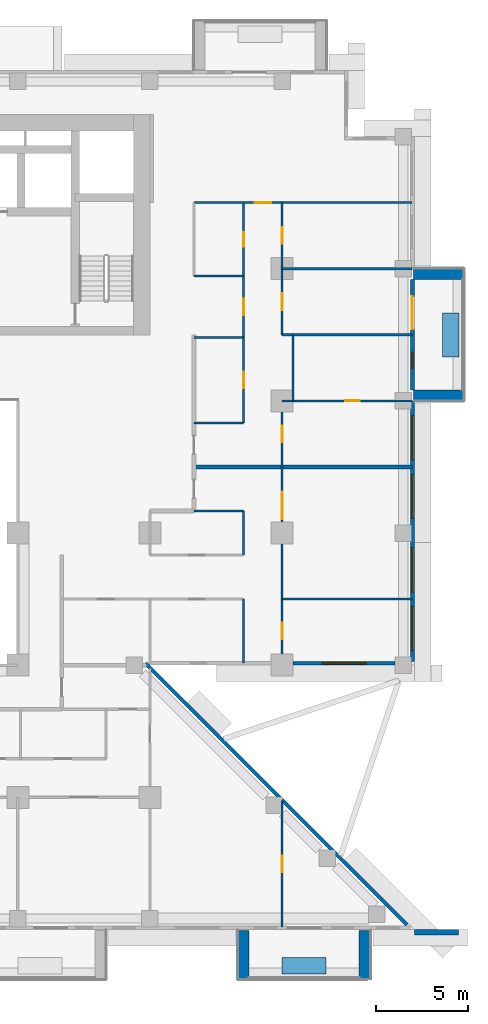
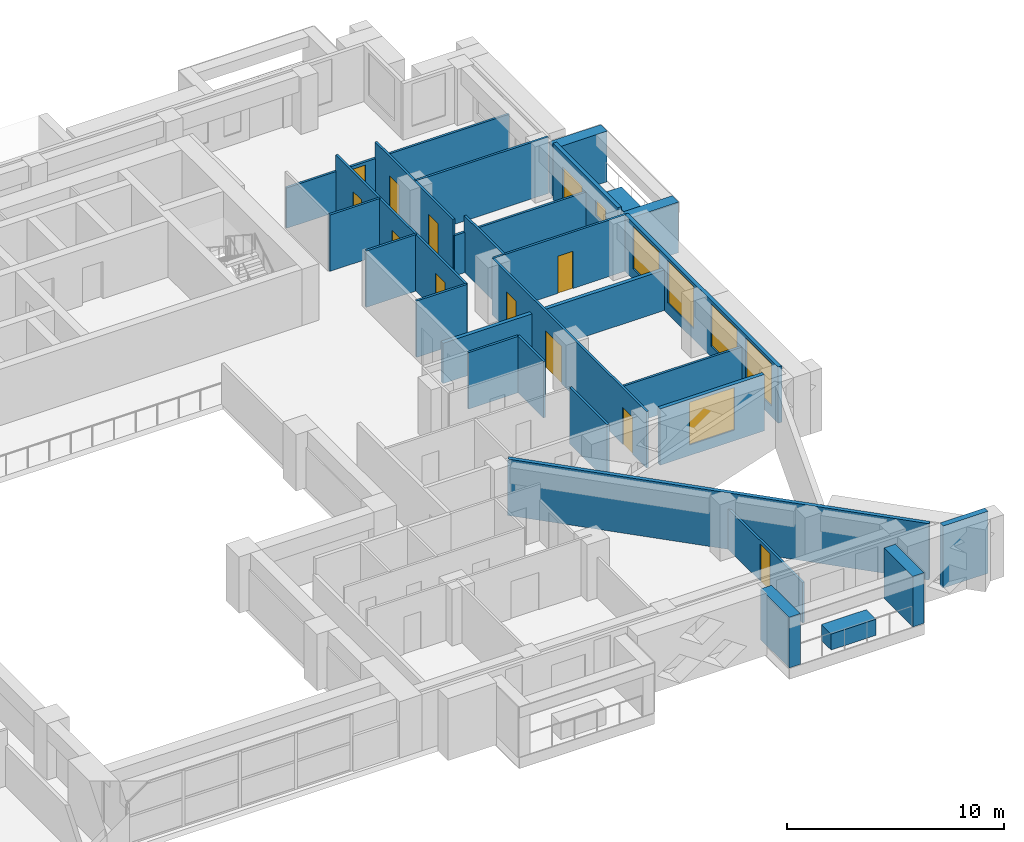
# One storey, part 12 of 17: 28 walls, 12 doors, 6 windows, 18 openings.
"""IFC4 building model written with IfcOpenShell, lengths in metres."""

from ifc_helpers import new_model, si_unit, direction, frame, frame_2d, origin, place, context, subcontext, project, spatial, rectangle, extrude, material, layer, layer_set, type_object, element, fill, save


model = new_model("IFC4")

# Units and contexts
model_context = context("Model", 3, precision=1e-05, world=origin(), true_north=direction((0.0, 1.0)))
body_context = subcontext(model_context, "Body", "Model", "MODEL_VIEW")
ifc_project = project(units=[si_unit("LENGTHUNIT", "METRE"), si_unit("AREAUNIT", "SQUARE_METRE"), si_unit("VOLUMEUNIT", "CUBIC_METRE"), si_unit("PLANEANGLEUNIT", "RADIAN"), si_unit("MASSUNIT", "GRAM", prefix="KILO")], contexts=[model_context])

# Site, building, storey
site_placement = place(None, origin())
site = spatial("IfcSite", under=ifc_project, at=site_placement, CompositionType="ELEMENT")
building_placement = place(site_placement, origin())
building = spatial("IfcBuilding", under=site, at=building_placement, Name="Saffron Iwan Residences", CompositionType="ELEMENT")
storey_placement = place(building_placement, frame((0.0, 0.0, 97.0)))
storey = spatial("IfcBuildingStorey", under=building, at=storey_placement, Name="L25", CompositionType="ELEMENT", Elevation=97.0)

# Walls
ifc_material_1 = material(Name="Concrete C50/60 white painted", Category="concrete")
ifc_layer_1 = layer(ifc_material_1, 0.60009765625)
ifc_layer_set_1 = layer_set([ifc_layer_1], Name="Concrete C50/60 white painted")
wall_type_1 = type_object("IfcWallType", Name="BALCONY FIN 600", PredefinedType="SOLIDWALL", material=ifc_layer_set_1)
for number, where, z_axis, x_axis, name in (
    (1, (86.35009765625, 62.699951171875, 0.0), (0.0, 0.0, 1.0), (1.0, 0.0, 0.0), "Balcony fin L25 F2-0a"),
    (2, (86.35009765625, 69.300048828125, 0.0), (0.0, 0.0, 1.0), (1.0, 0.0, 0.0), "Balcony fin L25 F2-0b"),
):
    element("IfcWall", number, at=place(storey_placement, frame(where, z_axis=z_axis, x_axis=x_axis)), inside=storey, type_object=wall_type_1, Name=name, PredefinedType="SOLIDWALL", context=body_context, shape_type="SweptSolid", body=[
        extrude(rectangle(XDim=2.75, YDim=0.60009765625, at=frame_2d((1.375, 0.0))), origin(), (0.0, 0.0, 1.0), 2.85009765625),
    ])
for number, where, z_axis, x_axis, name in (
    (3, (77.10009765625, 33.550048828125, 0.0), (0.0, 0.0, 1.0), (0.0, -1.0, 0.0), "Balcony fin L25 11-3a"),
    (4, (83.699951171875, 33.550048828125, 0.0), (0.0, 0.0, 1.0), (0.0, -1.0, 0.0), "Balcony fin L25 11-3b"),
):
    element("IfcWall", number, at=place(storey_placement, frame(where, z_axis=z_axis, x_axis=x_axis)), inside=storey, type_object=wall_type_1, Name=name, PredefinedType="SOLIDWALL", context=body_context, shape_type="SweptSolid", body=[
        extrude(rectangle(XDim=2.650146484375, YDim=0.60009765625, at=frame_2d((1.3251953125, 0.0))), origin(), (0.0, 0.0, 1.0), 2.85009765625),
    ])
ifc_material_2 = material(Name="Concrete C35/45 white painted", Category="concrete")
ifc_layer_2 = layer(ifc_material_2, 0.14990234375)
ifc_layer_set_2 = layer_set([ifc_layer_2], Name="Concrete C35/45 white painted")
wall_type_2 = type_object("IfcWallType", Name="BALCONY PLANTER", PredefinedType="SOLIDWALL", material=ifc_layer_set_2)
wall_1_placement = place(storey_placement, frame((88.375, 64.800048828125, 0.0), z_axis=(0.0, 0.0, 1.0), x_axis=(0.0, 1.0, 0.0)))
element("IfcWall", 5, at=wall_1_placement, inside=storey, type_object=wall_type_2, Name="PLANTER L25 F2-0", PredefinedType="SOLIDWALL", context=body_context, shape_type="SweptSolid", body=[
    extrude(rectangle(XDim=2.39990234375, YDim=0.89990234375, at=frame_2d((1.199951171875, 0.0))), origin(), (0.0, 0.0, 1.0), 0.89990234375),
])
wall_2_placement = place(storey_placement, frame((79.199951171875, 31.625, 0.0), z_axis=(0.0, 0.0, 1.0), x_axis=(1.0, 0.0, 0.0)))
element("IfcWall", 6, at=wall_2_placement, inside=storey, type_object=wall_type_2, Name="PLANTER L25 11-3", PredefinedType="SOLIDWALL", context=body_context, shape_type="SweptSolid", body=[
    extrude(rectangle(XDim=2.400146484375, YDim=0.89990234375, at=frame_2d((1.2001953125, 0.0))), origin(), (0.0, 0.0, 1.0), 0.89990234375),
])
ifc_material_3 = material(Name="Concrete C40/50", Category="concrete")
ifc_layer_3 = layer(ifc_material_3, 0.199951171875)
ifc_layer_set_3 = layer_set([ifc_layer_3], Name="Concrete C40/50")
wall_type_3 = type_object("IfcWallType", Name="EXTERNAL WALL 200", PredefinedType="SOLIDWALL", material=ifc_layer_set_3)
wall_3_placement = place(storey_placement, frame((85.995849609375, 33.862548828125, 0.0), z_axis=(0.0, 0.0, 1.0), x_axis=(-0.707100718496, 0.707112843825, 0.0)))
element("IfcWall", 7, at=wall_3_placement, inside=storey, type_object=wall_type_3, Name="External wall L25 F0.0", PredefinedType="SOLIDWALL", context=body_context, shape_type="SweptSolid", body=[
    extrude(rectangle(XDim=20.134765625, YDim=0.199951171875, at=frame_2d((10.0673828125, 0.0))), origin(), (0.0, 0.0, 1.0), 3.179931640625),
])

# Wall, opening, window
wall_4_placement = place(storey_placement, frame((79.800048828125, 48.10009765625, 0.0), z_axis=(0.0, 0.0, 1.0), x_axis=(1.0, 0.0, 0.0)))
wall_4 = element("IfcWall", 8, at=wall_4_placement, inside=storey, type_object=wall_type_3, Name="External wall L25 F1.1", PredefinedType="SOLIDWALL", context=body_context, shape_type="SweptSolid", body=[
    extrude(rectangle(XDim=5.550048828125, YDim=0.199951171875, at=frame_2d((2.77490234375, 0.0))), origin(), (0.0, 0.0, 1.0), 3.179931640625),
])
opening_1_placement = place(wall_4_placement, frame((1.574951171875, 0.0, 0.60009765625)))
opening_1 = element("IfcOpeningElement", 9, at=opening_1_placement, cuts=wall_4, Name="Opening W1", PredefinedType="OPENING", context=body_context, shape_type="SweptSolid", body=[
    extrude(rectangle(XDim=2.39990234375, YDim=2.39990234375, at=frame_2d((1.199951171875, 1.199951171875))), frame((0.0, 0.10986328125, 0.0), z_axis=(0.0, -1.0, 0.0), x_axis=(1.0, 0.0, 0.0)), (0.0, 0.0, 1.0), 0.219970703125),
])
ifc_material_4 = material(Name="Clear glass, laminated double glazed", Category="glass")
window_type_1 = type_object("IfcWindowType", Name="WINDOW 2400 x 2400", PartitioningType="DOUBLE_PANEL_VERTICAL", PredefinedType="WINDOW", material=ifc_material_4)
window_1_placement = place(opening_1_placement, origin())
window_1 = element("IfcWindow", 10, at=window_1_placement, inside=storey, type_object=window_type_1, Name="Window L25 F1.0", OverallHeight=2.39990234375, OverallWidth=2.39990234375, PartitioningType="DOUBLE_PANEL_VERTICAL", PredefinedType="WINDOW", context=body_context, shape_type="SweptSolid", body=[
    extrude(rectangle(XDim=2.39990234375, YDim=2.39990234375, at=frame_2d((1.199951171875, 1.199951171875))), frame((0.0, 0.030029296875, 0.0), z_axis=(0.0, -1.0, 0.0), x_axis=(1.0, 0.0, 0.0)), (0.0, 0.0, 1.0), 0.06005859375),
])
fill(opening_1, window_1)

# Wall, openings, windows
wall_5_placement = place(storey_placement, frame((86.300048828125, 48.199951171875, 0.0), z_axis=(0.0, 0.0, 1.0), x_axis=(0.0, 1.0, 0.0)))
wall_5 = element("IfcWall", 11, at=wall_5_placement, inside=storey, type_object=wall_type_3, Name="External wall L25 F2.0", PredefinedType="SOLIDWALL", context=body_context, shape_type="SweptSolid", body=[
    extrude(rectangle(XDim=14.199951171875, YDim=0.199951171875, at=frame_2d((7.10009765625, 0.0))), origin(), (0.0, 0.0, 1.0), 3.179931640625),
])
opening_2_placement = place(wall_5_placement, frame((0.60009765625, 0.0, 0.60009765625)))
opening_2 = element("IfcOpeningElement", 12, at=opening_2_placement, cuts=wall_5, Name="Opening W1", PredefinedType="OPENING", context=body_context, shape_type="SweptSolid", body=[
    extrude(rectangle(XDim=2.39990234375, YDim=2.39990234375, at=frame_2d((1.199951171875, 1.199951171875))), frame((0.0, 0.10986328125, 0.0), z_axis=(0.0, -1.0, 0.0), x_axis=(1.0, 0.0, 0.0)), (0.0, 0.0, 1.0), 0.219970703125),
])
opening_3_placement = place(wall_5_placement, frame((3.800048828125, 0.0, 0.60009765625)))
opening_3 = element("IfcOpeningElement", 13, at=opening_3_placement, cuts=wall_5, Name="Opening W1", PredefinedType="OPENING", context=body_context, shape_type="SweptSolid", body=[
    extrude(rectangle(XDim=2.39990234375, YDim=2.39990234375, at=frame_2d((1.199951171875, 1.199951171875))), frame((0.0, 0.10986328125, 0.0), z_axis=(0.0, -1.0, 0.0), x_axis=(1.0, 0.0, 0.0)), (0.0, 0.0, 1.0), 0.219970703125),
])
opening_4_placement = place(wall_5_placement, frame((7.800048828125, 0.0, 0.60009765625)))
opening_4 = element("IfcOpeningElement", 14, at=opening_4_placement, cuts=wall_5, Name="Opening W1", PredefinedType="OPENING", context=body_context, shape_type="SweptSolid", body=[
    extrude(rectangle(XDim=2.39990234375, YDim=2.39990234375, at=frame_2d((1.199951171875, 1.199951171875))), frame((0.0, 0.10986328125, 0.0), z_axis=(0.0, -1.0, 0.0), x_axis=(1.0, 0.0, 0.0)), (0.0, 0.0, 1.0), 0.219970703125),
])
opening_5_placement = place(wall_5_placement, frame((11.0, 0.0, 0.60009765625)))
opening_5 = element("IfcOpeningElement", 15, at=opening_5_placement, cuts=wall_5, Name="Opening W1", PredefinedType="OPENING", context=body_context, shape_type="SweptSolid", body=[
    extrude(rectangle(XDim=2.39990234375, YDim=2.39990234375, at=frame_2d((1.199951171875, 1.199951171875))), frame((0.0, 0.10986328125, 0.0), z_axis=(0.0, -1.0, 0.0), x_axis=(1.0, 0.0, 0.0)), (0.0, 0.0, 1.0), 0.219970703125),
])
window_2_placement = place(opening_2_placement, origin())
window_2 = element("IfcWindow", 16, at=window_2_placement, inside=storey, type_object=window_type_1, Name="Window L25 F2.0", OverallHeight=2.39990234375, OverallWidth=2.39990234375, PartitioningType="DOUBLE_PANEL_VERTICAL", PredefinedType="WINDOW", context=body_context, shape_type="SweptSolid", body=[
    extrude(rectangle(XDim=2.39990234375, YDim=2.39990234375, at=frame_2d((1.199951171875, 1.199951171875))), frame((0.0, 0.030029296875, 0.0), z_axis=(0.0, -1.0, 0.0), x_axis=(1.0, 0.0, 0.0)), (0.0, 0.0, 1.0), 0.06005859375),
])
fill(opening_2, window_2)
window_3_placement = place(opening_3_placement, origin())
window_3 = element("IfcWindow", 17, at=window_3_placement, inside=storey, type_object=window_type_1, Name="Window L25 F2.1", OverallHeight=2.39990234375, OverallWidth=2.39990234375, PartitioningType="DOUBLE_PANEL_VERTICAL", PredefinedType="WINDOW", context=body_context, shape_type="SweptSolid", body=[
    extrude(rectangle(XDim=2.39990234375, YDim=2.39990234375, at=frame_2d((1.199951171875, 1.199951171875))), frame((0.0, 0.030029296875, 0.0), z_axis=(0.0, -1.0, 0.0), x_axis=(1.0, 0.0, 0.0)), (0.0, 0.0, 1.0), 0.06005859375),
])
fill(opening_3, window_3)
window_4_placement = place(opening_4_placement, origin())
window_4 = element("IfcWindow", 18, at=window_4_placement, inside=storey, type_object=window_type_1, Name="Window L25 F2.2", OverallHeight=2.39990234375, OverallWidth=2.39990234375, PartitioningType="DOUBLE_PANEL_VERTICAL", PredefinedType="WINDOW", context=body_context, shape_type="SweptSolid", body=[
    extrude(rectangle(XDim=2.39990234375, YDim=2.39990234375, at=frame_2d((1.199951171875, 1.199951171875))), frame((0.0, 0.030029296875, 0.0), z_axis=(0.0, -1.0, 0.0), x_axis=(1.0, 0.0, 0.0)), (0.0, 0.0, 1.0), 0.06005859375),
])
fill(opening_4, window_4)
window_5_placement = place(opening_5_placement, origin())
window_5 = element("IfcWindow", 19, at=window_5_placement, inside=storey, type_object=window_type_1, Name="Window L25 F2.3", OverallHeight=2.39990234375, OverallWidth=2.39990234375, PartitioningType="DOUBLE_PANEL_VERTICAL", PredefinedType="WINDOW", context=body_context, shape_type="SweptSolid", body=[
    extrude(rectangle(XDim=2.39990234375, YDim=2.39990234375, at=frame_2d((1.199951171875, 1.199951171875))), frame((0.0, 0.030029296875, 0.0), z_axis=(0.0, -1.0, 0.0), x_axis=(1.0, 0.0, 0.0)), (0.0, 0.0, 1.0), 0.06005859375),
])
fill(opening_5, window_5)

# Wall, openings, door, window
wall_6_placement = place(storey_placement, frame((86.300048828125, 63.0, 0.0), z_axis=(0.0, 0.0, 1.0), x_axis=(0.0, 1.0, 0.0)))
wall_6 = element("IfcWall", 20, at=wall_6_placement, inside=storey, type_object=wall_type_3, Name="External wall L25 F2.1", PredefinedType="SOLIDWALL", context=body_context, shape_type="SweptSolid", body=[
    extrude(rectangle(XDim=6.0, YDim=0.199951171875, at=frame_2d((3.0, 0.0))), origin(), (0.0, 0.0, 1.0), 3.179931640625),
])
opening_6_placement = place(wall_6_placement, frame((3.300048828125, 0.0, 0.0)))
opening_6 = element("IfcOpeningElement", 21, at=opening_6_placement, cuts=wall_6, Name="Opening BD1", PredefinedType="OPENING", context=body_context, shape_type="SweptSolid", body=[
    extrude(rectangle(XDim=1.800048828125, YDim=2.39990234375, at=frame_2d((0.89990234375, 1.199951171875))), frame((0.0, 0.10986328125, 0.0), z_axis=(0.0, -1.0, 0.0), x_axis=(1.0, 0.0, 0.0)), (0.0, 0.0, 1.0), 0.219970703125),
])
opening_7_placement = place(wall_6_placement, frame((1.14990234375, 0.0, 1.5)))
opening_7 = element("IfcOpeningElement", 22, at=opening_7_placement, cuts=wall_6, Name="Opening W6", PredefinedType="OPENING", context=body_context, shape_type="SweptSolid", body=[
    extrude(rectangle(XDim=0.89990234375, YDim=0.89990234375, at=frame_2d((0.449951171875, 0.449951171875))), frame((0.0, 0.10986328125, 0.0), z_axis=(0.0, -1.0, 0.0), x_axis=(1.0, 0.0, 0.0)), (0.0, 0.0, 1.0), 0.219970703125),
])
door_type_1 = type_object("IfcDoorType", Name="BALCONY DOOR 1800 x 2400", OperationType="DOUBLE_DOOR_SLIDING", PredefinedType="DOOR", material=ifc_material_4)
door_1_placement = place(opening_6_placement, origin())
door_1 = element("IfcDoor", 23, at=door_1_placement, inside=storey, type_object=door_type_1, Name="Balcony door L25 F2.0", OperationType="DOUBLE_DOOR_SLIDING", OverallHeight=2.39990234375, OverallWidth=1.800048828125, PredefinedType="DOOR", context=body_context, shape_type="SweptSolid", body=[
    extrude(rectangle(XDim=1.800048828125, YDim=2.39990234375, at=frame_2d((0.89990234375, 1.199951171875))), frame((0.0, 0.02490234375, 0.0), z_axis=(0.0, -1.0, 0.0), x_axis=(1.0, 0.0, 0.0)), (0.0, 0.0, 1.0), 0.050048828125),
])
fill(opening_6, door_1)
window_type_2 = type_object("IfcWindowType", Name="WINDOW 900 x 900 BATH", PartitioningType="SINGLE_PANEL", PredefinedType="WINDOW", material=ifc_material_4)
window_6_placement = place(opening_7_placement, origin())
window_6 = element("IfcWindow", 24, at=window_6_placement, inside=storey, type_object=window_type_2, Name="Window L25 F2.1", OverallHeight=0.89990234375, OverallWidth=0.89990234375, PartitioningType="SINGLE_PANEL", PredefinedType="WINDOW", context=body_context, shape_type="SweptSolid", body=[
    extrude(rectangle(XDim=0.89990234375, YDim=0.89990234375, at=frame_2d((0.449951171875, 0.449951171875))), frame((0.0, 0.030029296875, 0.0), z_axis=(0.0, -1.0, 0.0), x_axis=(1.0, 0.0, 0.0)), (0.0, 0.0, 1.0), 0.06005859375),
])
fill(opening_7, window_6)

# Walls
ifc_material_5 = material(Name="Fire-rated gypsum board wall")
ifc_layer_4 = layer(ifc_material_5, 0.199951171875)
ifc_layer_set_4 = layer_set([ifc_layer_4], Name="Fire-rated gypsum board wall")
wall_type_4 = type_object("IfcWallType", Name="Flat demising wall 200", PredefinedType="SOLIDWALL", material=ifc_layer_set_4)
wall_7_placement = place(storey_placement, frame((74.39990234375, 58.800048828125, 0.0), z_axis=(0.0, 0.0, 1.0), x_axis=(1.0, 0.0, 0.0)))
element("IfcWall", 25, at=wall_7_placement, inside=storey, type_object=wall_type_4, Name="W-L25-DEMISE-h58.8-74.4", PredefinedType="SOLIDWALL", context=body_context, shape_type="SweptSolid", body=[
    extrude(rectangle(XDim=11.875, YDim=0.199951171875, at=frame_2d((5.9375, 0.0))), origin(), (0.0, 0.0, 1.0), 2.280029296875),
])
ifc_material_6 = material(Name="Gypsum board partition")
ifc_layer_5 = layer(ifc_material_6, 0.1201171875)
ifc_layer_set_5 = layer_set([ifc_layer_5], Name="Gypsum board partition")
wall_type_5 = type_object("IfcWallType", Name="Flat partition 120", PredefinedType="PARTITIONING", material=ifc_layer_set_5)
wall_8_placement = place(storey_placement, frame((79.199951171875, 51.60009765625, 0.0), z_axis=(0.0, 0.0, 1.0), x_axis=(1.0, 0.0, 0.0)))
element("IfcWall", 26, at=wall_8_placement, inside=storey, type_object=wall_type_5, Name="W-L25-PART-h51.6-79.2", PredefinedType="PARTITIONING", context=body_context, shape_type="SweptSolid", body=[
    extrude(rectangle(XDim=7.074951171875, YDim=0.1201171875, at=frame_2d((3.53759765625, 0.0))), origin(), (0.0, 0.0, 1.0), 2.280029296875),
])
for number, where, z_axis, x_axis, name in (
    (27, (74.39990234375, 56.39990234375, 0.0), (0.0, 0.0, 1.0), (1.0, 0.0, 0.0), "W-L25-PART-h56.4-74.4"),
    (28, (74.39990234375, 61.199951171875, 0.0), (0.0, 0.0, 1.0), (1.0, 0.0, 0.0), "W-L25-PART-h61.2-74.4"),
):
    element("IfcWall", number, at=place(storey_placement, frame(where, z_axis=z_axis, x_axis=x_axis)), inside=storey, type_object=wall_type_5, Name=name, PredefinedType="PARTITIONING", context=body_context, shape_type="SweptSolid", body=[
        extrude(rectangle(XDim=2.7001953125, YDim=0.1201171875, at=frame_2d((1.35009765625, 0.0))), origin(), (0.0, 0.0, 1.0), 3.179931640625),
    ])

# Wall, opening, door
wall_9_placement = place(storey_placement, frame((79.199951171875, 62.39990234375, 0.0), z_axis=(0.0, 0.0, 1.0), x_axis=(1.0, 0.0, 0.0)))
wall_9 = element("IfcWall", 29, at=wall_9_placement, inside=storey, type_object=wall_type_5, Name="W-L25-PART-h62.4-79.2", PredefinedType="PARTITIONING", context=body_context, shape_type="SweptSolid", body=[
    extrude(rectangle(XDim=7.074951171875, YDim=0.1201171875, at=frame_2d((3.53759765625, 0.0))), origin(), (0.0, 0.0, 1.0), 3.179931640625),
])
opening_8_placement = place(wall_9_placement, frame((3.4375, 0.0, 0.0)))
opening_8 = element("IfcOpeningElement", 30, at=opening_8_placement, cuts=wall_9, Name="Opening FD3", PredefinedType="OPENING", context=body_context, shape_type="SweptSolid", body=[
    extrude(rectangle(XDim=0.800048828125, YDim=2.10009765625, at=frame_2d((0.39990234375, 1.050048828125))), frame((0.0, 0.070068359375, 0.0), z_axis=(0.0, -1.0, 0.0), x_axis=(1.0, 0.0, 0.0)), (0.0, 0.0, 1.0), 0.14013671875),
])
ifc_material_7 = material(Name="Timber door", Category="wood")
door_type_2 = type_object("IfcDoorType", Name="Bathroom door 800", OperationType="NOTDEFINED", PredefinedType="DOOR", material=ifc_material_7)
door_2_placement = place(opening_8_placement, origin())
door_2 = element("IfcDoor", 31, at=door_2_placement, inside=storey, type_object=door_type_2, Name="Door L25-037", OperationType="SINGLE_SWING_LEFT", OverallHeight=2.10009765625, OverallWidth=0.800048828125, PredefinedType="DOOR", context=body_context, shape_type="SweptSolid", body=[
    extrude(rectangle(XDim=0.800048828125, YDim=2.10009765625, at=frame_2d((0.39990234375, 1.050048828125))), frame((0.0, 0.02490234375, 0.0), z_axis=(0.0, -1.0, 0.0), x_axis=(1.0, 0.0, 0.0)), (0.0, 0.0, 1.0), 0.050048828125),
])
fill(opening_8, door_2)

# Walls
wall_10_placement = place(storey_placement, frame((74.39990234375, 65.85009765625, 0.0), z_axis=(0.0, 0.0, 1.0), x_axis=(1.0, 0.0, 0.0)))
element("IfcWall", 32, at=wall_10_placement, inside=storey, type_object=wall_type_5, Name="W-L25-PART-h65.85-74.4", PredefinedType="PARTITIONING", context=body_context, shape_type="SweptSolid", body=[
    extrude(rectangle(XDim=2.7001953125, YDim=0.1201171875, at=frame_2d((1.35009765625, 0.0))), origin(), (0.0, 0.0, 1.0), 3.179931640625),
])
wall_11_placement = place(storey_placement, frame((79.199951171875, 66.0, 0.0), z_axis=(0.0, 0.0, 1.0), x_axis=(1.0, 0.0, 0.0)))
element("IfcWall", 33, at=wall_11_placement, inside=storey, type_object=wall_type_5, Name="W-L25-PART-h66-79.2", PredefinedType="PARTITIONING", context=body_context, shape_type="SweptSolid", body=[
    extrude(rectangle(XDim=7.074951171875, YDim=0.1201171875, at=frame_2d((3.53759765625, 0.0))), origin(), (0.0, 0.0, 1.0), 2.280029296875),
])
wall_12_placement = place(storey_placement, frame((74.39990234375, 69.199951171875, 0.0), z_axis=(0.0, 0.0, 1.0), x_axis=(1.0, 0.0, 0.0)))
element("IfcWall", 34, at=wall_12_placement, inside=storey, type_object=wall_type_5, Name="W-L25-PART-h69.2-74.4", PredefinedType="PARTITIONING", context=body_context, shape_type="SweptSolid", body=[
    extrude(rectangle(XDim=2.7001953125, YDim=0.1201171875, at=frame_2d((1.35009765625, 0.0))), origin(), (0.0, 0.0, 1.0), 3.179931640625),
])
wall_13_placement = place(storey_placement, frame((79.199951171875, 69.60009765625, 0.0), z_axis=(0.0, 0.0, 1.0), x_axis=(1.0, 0.0, 0.0)))
element("IfcWall", 35, at=wall_13_placement, inside=storey, type_object=wall_type_5, Name="W-L25-PART-h69.6-79.2", PredefinedType="PARTITIONING", context=body_context, shape_type="SweptSolid", body=[
    extrude(rectangle(XDim=7.074951171875, YDim=0.1201171875, at=frame_2d((3.53759765625, 0.0))), origin(), (0.0, 0.0, 1.0), 3.179931640625),
])

# Wall, opening, door
wall_14_placement = place(storey_placement, frame((74.39990234375, 73.199951171875, 0.0), z_axis=(0.0, 0.0, 1.0), x_axis=(1.0, 0.0, 0.0)))
wall_14 = element("IfcWall", 36, at=wall_14_placement, inside=storey, type_object=wall_type_5, Name="W-L25-PART-h73.2-74.4", PredefinedType="PARTITIONING", context=body_context, shape_type="SweptSolid", body=[
    extrude(rectangle(XDim=11.875, YDim=0.1201171875, at=frame_2d((5.9375, 0.0))), origin(), (0.0, 0.0, 1.0), 2.280029296875),
])
opening_9_placement = place(wall_14_placement, frame((3.300048828125, 0.0, 0.0)))
opening_9 = element("IfcOpeningElement", 37, at=opening_9_placement, cuts=wall_14, Name="Opening FD2", PredefinedType="OPENING", context=body_context, shape_type="SweptSolid", body=[
    extrude(rectangle(XDim=0.89990234375, YDim=2.10009765625, at=frame_2d((0.449951171875, 1.050048828125))), frame((0.0, 0.070068359375, 0.0), z_axis=(0.0, -1.0, 0.0), x_axis=(1.0, 0.0, 0.0)), (0.0, 0.0, 1.0), 0.14013671875),
])
door_type_3 = type_object("IfcDoorType", Name="Flat door 900", OperationType="NOTDEFINED", PredefinedType="DOOR", material=ifc_material_7)
door_3_placement = place(opening_9_placement, origin())
door_3 = element("IfcDoor", 38, at=door_3_placement, inside=storey, type_object=door_type_3, Name="Door L25-040", OperationType="SINGLE_SWING_LEFT", OverallHeight=2.10009765625, OverallWidth=0.89990234375, PredefinedType="DOOR", context=body_context, shape_type="SweptSolid", body=[
    extrude(rectangle(XDim=0.89990234375, YDim=2.10009765625, at=frame_2d((0.449951171875, 1.050048828125))), frame((0.0, 0.02490234375, 0.0), z_axis=(0.0, -1.0, 0.0), x_axis=(1.0, 0.0, 0.0)), (0.0, 0.0, 1.0), 0.050048828125),
])
fill(opening_9, door_3)

# Walls
wall_15_placement = place(storey_placement, frame((77.10009765625, 48.125, 0.0), z_axis=(0.0, 0.0, 1.0), x_axis=(0.0, 1.0, 0.0)))
element("IfcWall", 39, at=wall_15_placement, inside=storey, type_object=wall_type_5, Name="W-L25-PART-v77.1-48.125", PredefinedType="PARTITIONING", context=body_context, shape_type="SweptSolid", body=[
    extrude(rectangle(XDim=3.47509765625, YDim=0.1201171875, at=frame_2d((1.737548828125, 0.0))), origin(), (0.0, 0.0, 1.0), 3.179931640625),
])
wall_16_placement = place(storey_placement, frame((77.10009765625, 54.0, 0.0), z_axis=(0.0, 0.0, 1.0), x_axis=(0.0, 1.0, 0.0)))
element("IfcWall", 40, at=wall_16_placement, inside=storey, type_object=wall_type_5, Name="W-L25-PART-v77.1-54", PredefinedType="PARTITIONING", context=body_context, shape_type="SweptSolid", body=[
    extrude(rectangle(XDim=2.39990234375, YDim=0.1201171875, at=frame_2d((1.199951171875, 0.0))), origin(), (0.0, 0.0, 1.0), 3.179931640625),
])

# Wall, openings, doors
wall_17_placement = place(storey_placement, frame((77.10009765625, 61.199951171875, 0.0), z_axis=(0.0, 0.0, 1.0), x_axis=(0.0, 1.0, 0.0)))
wall_17 = element("IfcWall", 41, at=wall_17_placement, inside=storey, type_object=wall_type_5, Name="W-L25-PART-v77.1-61.2", PredefinedType="PARTITIONING", context=body_context, shape_type="SweptSolid", body=[
    extrude(rectangle(XDim=12.0, YDim=0.1201171875, at=frame_2d((6.0, 0.0))), origin(), (0.0, 0.0, 1.0), 3.179931640625),
])
opening_10_placement = place(wall_17_placement, frame((1.875, 0.0, 0.0)))
opening_10 = element("IfcOpeningElement", 42, at=opening_10_placement, cuts=wall_17, Name="Opening FD2", PredefinedType="OPENING", context=body_context, shape_type="SweptSolid", body=[
    extrude(rectangle(XDim=0.89990234375, YDim=2.10009765625, at=frame_2d((0.449951171875, 1.050048828125))), frame((0.0, 0.070068359375, 0.0), z_axis=(0.0, -1.0, 0.0), x_axis=(1.0, 0.0, 0.0)), (0.0, 0.0, 1.0), 0.14013671875),
])
opening_11_placement = place(wall_17_placement, frame((5.875, 0.0, 0.0)))
opening_11 = element("IfcOpeningElement", 43, at=opening_11_placement, cuts=wall_17, Name="Opening FD2", PredefinedType="OPENING", context=body_context, shape_type="SweptSolid", body=[
    extrude(rectangle(XDim=0.89990234375, YDim=2.10009765625, at=frame_2d((0.449951171875, 1.050048828125))), frame((0.0, 0.070068359375, 0.0), z_axis=(0.0, -1.0, 0.0), x_axis=(1.0, 0.0, 0.0)), (0.0, 0.0, 1.0), 0.14013671875),
])
opening_12_placement = place(wall_17_placement, frame((9.60009765625, 0.0, 0.0)))
opening_12 = element("IfcOpeningElement", 44, at=opening_12_placement, cuts=wall_17, Name="Opening FD3", PredefinedType="OPENING", context=body_context, shape_type="SweptSolid", body=[
    extrude(rectangle(XDim=0.800048828125, YDim=2.10009765625, at=frame_2d((0.39990234375, 1.050048828125))), frame((0.0, 0.070068359375, 0.0), z_axis=(0.0, -1.0, 0.0), x_axis=(1.0, 0.0, 0.0)), (0.0, 0.0, 1.0), 0.14013671875),
])
door_4_placement = place(opening_12_placement, origin())
door_4 = element("IfcDoor", 45, at=door_4_placement, inside=storey, type_object=door_type_2, Name="Door L25-043", OperationType="SINGLE_SWING_LEFT", OverallHeight=2.10009765625, OverallWidth=0.800048828125, PredefinedType="DOOR", context=body_context, shape_type="SweptSolid", body=[
    extrude(rectangle(XDim=0.800048828125, YDim=2.10009765625, at=frame_2d((0.39990234375, 1.050048828125))), frame((0.0, 0.02490234375, 0.0), z_axis=(0.0, -1.0, 0.0), x_axis=(1.0, 0.0, 0.0)), (0.0, 0.0, 1.0), 0.050048828125),
])
fill(opening_12, door_4)
door_5_placement = place(opening_10_placement, origin())
door_5 = element("IfcDoor", 46, at=door_5_placement, inside=storey, type_object=door_type_3, Name="Door L25-041", OperationType="SINGLE_SWING_LEFT", OverallHeight=2.10009765625, OverallWidth=0.89990234375, PredefinedType="DOOR", context=body_context, shape_type="SweptSolid", body=[
    extrude(rectangle(XDim=0.89990234375, YDim=2.10009765625, at=frame_2d((0.449951171875, 1.050048828125))), frame((0.0, 0.02490234375, 0.0), z_axis=(0.0, -1.0, 0.0), x_axis=(1.0, 0.0, 0.0)), (0.0, 0.0, 1.0), 0.050048828125),
])
fill(opening_10, door_5)
door_6_placement = place(opening_11_placement, origin())
door_6 = element("IfcDoor", 47, at=door_6_placement, inside=storey, type_object=door_type_3, Name="Door L25-042", OperationType="SINGLE_SWING_RIGHT", OverallHeight=2.10009765625, OverallWidth=0.89990234375, PredefinedType="DOOR", context=body_context, shape_type="SweptSolid", body=[
    extrude(rectangle(XDim=0.89990234375, YDim=2.10009765625, at=frame_2d((0.449951171875, 1.050048828125))), frame((0.0, 0.02490234375, 0.0), z_axis=(0.0, -1.0, 0.0), x_axis=(1.0, 0.0, 0.0)), (0.0, 0.0, 1.0), 0.050048828125),
])
fill(opening_11, door_6)

# Wall, opening, door
wall_18_placement = place(storey_placement, frame((79.199951171875, 33.72509765625, 0.0), z_axis=(0.0, 0.0, 1.0), x_axis=(0.0, 1.0, 0.0)))
wall_18 = element("IfcWall", 48, at=wall_18_placement, inside=storey, type_object=wall_type_5, Name="W-L25-PART-v79.2-33.725", PredefinedType="PARTITIONING", context=body_context, shape_type="SweptSolid", body=[
    extrude(rectangle(XDim=6.89794921875, YDim=0.1201171875, at=frame_2d((3.448974609375, 0.0))), origin(), (0.0, 0.0, 1.0), 2.280029296875),
])
opening_13_placement = place(wall_18_placement, frame((2.9990234375, 0.0, 0.0)))
opening_13 = element("IfcOpeningElement", 49, at=opening_13_placement, cuts=wall_18, Name="Opening FD2", PredefinedType="OPENING", context=body_context, shape_type="SweptSolid", body=[
    extrude(rectangle(XDim=0.89990234375, YDim=2.10009765625, at=frame_2d((0.449951171875, 1.050048828125))), frame((0.0, 0.070068359375, 0.0), z_axis=(0.0, -1.0, 0.0), x_axis=(1.0, 0.0, 0.0)), (0.0, 0.0, 1.0), 0.14013671875),
])
door_7_placement = place(opening_13_placement, origin())
door_7 = element("IfcDoor", 50, at=door_7_placement, inside=storey, type_object=door_type_3, Name="Door L25-052", OperationType="SINGLE_SWING_LEFT", OverallHeight=2.10009765625, OverallWidth=0.89990234375, PredefinedType="DOOR", context=body_context, shape_type="SweptSolid", body=[
    extrude(rectangle(XDim=0.89990234375, YDim=2.10009765625, at=frame_2d((0.449951171875, 1.050048828125))), frame((0.0, 0.02490234375, 0.0), z_axis=(0.0, -1.0, 0.0), x_axis=(1.0, 0.0, 0.0)), (0.0, 0.0, 1.0), 0.050048828125),
])
fill(opening_13, door_7)

# Wall, openings, doors
wall_19_placement = place(storey_placement, frame((79.199951171875, 48.125, 0.0), z_axis=(0.0, 0.0, 1.0), x_axis=(0.0, 1.0, 0.0)))
wall_19 = element("IfcWall", 51, at=wall_19_placement, inside=storey, type_object=wall_type_5, Name="W-L25-PART-v79.2-48.125", PredefinedType="PARTITIONING", context=body_context, shape_type="SweptSolid", body=[
    extrude(rectangle(XDim=14.27490234375, YDim=0.1201171875, at=frame_2d((7.137451171875, 0.0))), origin(), (0.0, 0.0, 1.0), 3.179931640625),
])
opening_14_placement = place(wall_19_placement, frame((1.28759765625, 0.0, 0.0)))
opening_14 = element("IfcOpeningElement", 52, at=opening_14_placement, cuts=wall_19, Name="Opening FD2", PredefinedType="OPENING", context=body_context, shape_type="SweptSolid", body=[
    extrude(rectangle(XDim=0.89990234375, YDim=2.10009765625, at=frame_2d((0.449951171875, 1.050048828125))), frame((0.0, 0.070068359375, 0.0), z_axis=(0.0, -1.0, 0.0), x_axis=(1.0, 0.0, 0.0)), (0.0, 0.0, 1.0), 0.14013671875),
])
opening_15_placement = place(wall_19_placement, frame((7.824951171875, 0.0, 0.0)))
opening_15 = element("IfcOpeningElement", 53, at=opening_15_placement, cuts=wall_19, Name="Opening FD4", PredefinedType="OPENING", context=body_context, shape_type="SweptSolid", body=[
    extrude(rectangle(XDim=1.5, YDim=2.10009765625, at=frame_2d((0.75, 1.050048828125))), frame((0.0, 0.070068359375, 0.0), z_axis=(0.0, -1.0, 0.0), x_axis=(1.0, 0.0, 0.0)), (0.0, 0.0, 1.0), 0.14013671875),
])
opening_16_placement = place(wall_19_placement, frame((12.02490234375, 0.0, 0.0)))
opening_16 = element("IfcOpeningElement", 54, at=opening_16_placement, cuts=wall_19, Name="Opening FD2", PredefinedType="OPENING", context=body_context, shape_type="SweptSolid", body=[
    extrude(rectangle(XDim=0.89990234375, YDim=2.10009765625, at=frame_2d((0.449951171875, 1.050048828125))), frame((0.0, 0.070068359375, 0.0), z_axis=(0.0, -1.0, 0.0), x_axis=(1.0, 0.0, 0.0)), (0.0, 0.0, 1.0), 0.14013671875),
])
door_type_4 = type_object("IfcDoorType", Name="Double door 1500", OperationType="NOTDEFINED", PredefinedType="DOOR", material=ifc_material_7)
door_8_placement = place(opening_15_placement, origin())
door_8 = element("IfcDoor", 55, at=door_8_placement, inside=storey, type_object=door_type_4, Name="Door L25-022", OperationType="SINGLE_SWING_RIGHT", OverallHeight=2.10009765625, OverallWidth=1.5, PredefinedType="DOOR", context=body_context, shape_type="SweptSolid", body=[
    extrude(rectangle(XDim=1.5, YDim=2.10009765625, at=frame_2d((0.75, 1.050048828125))), frame((0.0, 0.02490234375, 0.0), z_axis=(0.0, -1.0, 0.0), x_axis=(1.0, 0.0, 0.0)), (0.0, 0.0, 1.0), 0.050048828125),
])
fill(opening_15, door_8)
door_9_placement = place(opening_14_placement, origin())
door_9 = element("IfcDoor", 56, at=door_9_placement, inside=storey, type_object=door_type_3, Name="Door L25-021", OperationType="SINGLE_SWING_RIGHT", OverallHeight=2.10009765625, OverallWidth=0.89990234375, PredefinedType="DOOR", context=body_context, shape_type="SweptSolid", body=[
    extrude(rectangle(XDim=0.89990234375, YDim=2.10009765625, at=frame_2d((0.449951171875, 1.050048828125))), frame((0.0, 0.02490234375, 0.0), z_axis=(0.0, -1.0, 0.0), x_axis=(1.0, 0.0, 0.0)), (0.0, 0.0, 1.0), 0.050048828125),
])
fill(opening_14, door_9)
door_10_placement = place(opening_16_placement, origin())
door_10 = element("IfcDoor", 57, at=door_10_placement, inside=storey, type_object=door_type_3, Name="Door L25-036", OperationType="SINGLE_SWING_RIGHT", OverallHeight=2.10009765625, OverallWidth=0.89990234375, PredefinedType="DOOR", context=body_context, shape_type="SweptSolid", body=[
    extrude(rectangle(XDim=0.89990234375, YDim=2.10009765625, at=frame_2d((0.449951171875, 1.050048828125))), frame((0.0, 0.02490234375, 0.0), z_axis=(0.0, -1.0, 0.0), x_axis=(1.0, 0.0, 0.0)), (0.0, 0.0, 1.0), 0.050048828125),
])
fill(opening_16, door_10)

wall_20_placement = place(storey_placement, frame((79.199951171875, 66.0, 0.0), z_axis=(0.0, 0.0, 1.0), x_axis=(0.0, 1.0, 0.0)))
wall_20 = element("IfcWall", 58, at=wall_20_placement, inside=storey, type_object=wall_type_5, Name="W-L25-PART-v79.2-66", PredefinedType="PARTITIONING", context=body_context, shape_type="SweptSolid", body=[
    extrude(rectangle(XDim=7.199951171875, YDim=0.1201171875, at=frame_2d((3.60009765625, 0.0))), origin(), (0.0, 0.0, 1.0), 3.179931640625),
])
opening_17_placement = place(wall_20_placement, frame((1.35009765625, 0.0, 0.0)))
opening_17 = element("IfcOpeningElement", 59, at=opening_17_placement, cuts=wall_20, Name="Opening FD2", PredefinedType="OPENING", context=body_context, shape_type="SweptSolid", body=[
    extrude(rectangle(XDim=0.89990234375, YDim=2.10009765625, at=frame_2d((0.449951171875, 1.050048828125))), frame((0.0, 0.070068359375, 0.0), z_axis=(0.0, -1.0, 0.0), x_axis=(1.0, 0.0, 0.0)), (0.0, 0.0, 1.0), 0.14013671875),
])
opening_18_placement = place(wall_20_placement, frame((4.949951171875, 0.0, 0.0)))
opening_18 = element("IfcOpeningElement", 60, at=opening_18_placement, cuts=wall_20, Name="Opening FD2", PredefinedType="OPENING", context=body_context, shape_type="SweptSolid", body=[
    extrude(rectangle(XDim=0.89990234375, YDim=2.10009765625, at=frame_2d((0.449951171875, 1.050048828125))), frame((0.0, 0.070068359375, 0.0), z_axis=(0.0, -1.0, 0.0), x_axis=(1.0, 0.0, 0.0)), (0.0, 0.0, 1.0), 0.14013671875),
])
door_11_placement = place(opening_17_placement, origin())
door_11 = element("IfcDoor", 61, at=door_11_placement, inside=storey, type_object=door_type_3, Name="Door L25-038", OperationType="SINGLE_SWING_LEFT", OverallHeight=2.10009765625, OverallWidth=0.89990234375, PredefinedType="DOOR", context=body_context, shape_type="SweptSolid", body=[
    extrude(rectangle(XDim=0.89990234375, YDim=2.10009765625, at=frame_2d((0.449951171875, 1.050048828125))), frame((0.0, 0.02490234375, 0.0), z_axis=(0.0, -1.0, 0.0), x_axis=(1.0, 0.0, 0.0)), (0.0, 0.0, 1.0), 0.050048828125),
])
fill(opening_17, door_11)
door_12_placement = place(opening_18_placement, origin())
door_12 = element("IfcDoor", 62, at=door_12_placement, inside=storey, type_object=door_type_3, Name="Door L25-039", OperationType="SINGLE_SWING_RIGHT", OverallHeight=2.10009765625, OverallWidth=0.89990234375, PredefinedType="DOOR", context=body_context, shape_type="SweptSolid", body=[
    extrude(rectangle(XDim=0.89990234375, YDim=2.10009765625, at=frame_2d((0.449951171875, 1.050048828125))), frame((0.0, 0.02490234375, 0.0), z_axis=(0.0, -1.0, 0.0), x_axis=(1.0, 0.0, 0.0)), (0.0, 0.0, 1.0), 0.050048828125),
])
fill(opening_18, door_12)

# Walls
wall_21_placement = place(storey_placement, frame((79.800048828125, 62.39990234375, 0.0), z_axis=(0.0, 0.0, 1.0), x_axis=(0.0, 1.0, 0.0)))
element("IfcWall", 63, at=wall_21_placement, inside=storey, type_object=wall_type_5, Name="W-L25-PART-v79.8-62.4", PredefinedType="PARTITIONING", context=body_context, shape_type="SweptSolid", body=[
    extrude(rectangle(XDim=3.60009765625, YDim=0.1201171875, at=frame_2d((1.800048828125, 0.0))), origin(), (0.0, 0.0, 1.0), 3.179931640625),
])
ifc_layer_6 = layer(ifc_material_1, 0.300048828125)
ifc_layer_set_6 = layer_set([ifc_layer_6], Name="Concrete C50/60 white painted")
wall_type_6 = type_object("IfcWallType", Name="PROW BLADE 300", PredefinedType="SOLIDWALL", material=ifc_layer_set_6)
wall_22_placement = place(storey_placement, frame((86.39990234375, 33.449951171875, -0.320068359375), z_axis=(0.0, 0.0, 1.0), x_axis=(1.0, 0.0, 0.0)))
element("IfcWall", 64, at=wall_22_placement, inside=storey, type_object=wall_type_6, Name="Prow blade L25", PredefinedType="SOLIDWALL", context=body_context, shape_type="SweptSolid", body=[
    extrude(rectangle(XDim=2.400146484375, YDim=0.300048828125, at=frame_2d((1.2001953125, 0.0))), origin(), (0.0, 0.0, 1.0), 3.5),
])

save(model, "model.ifc")
